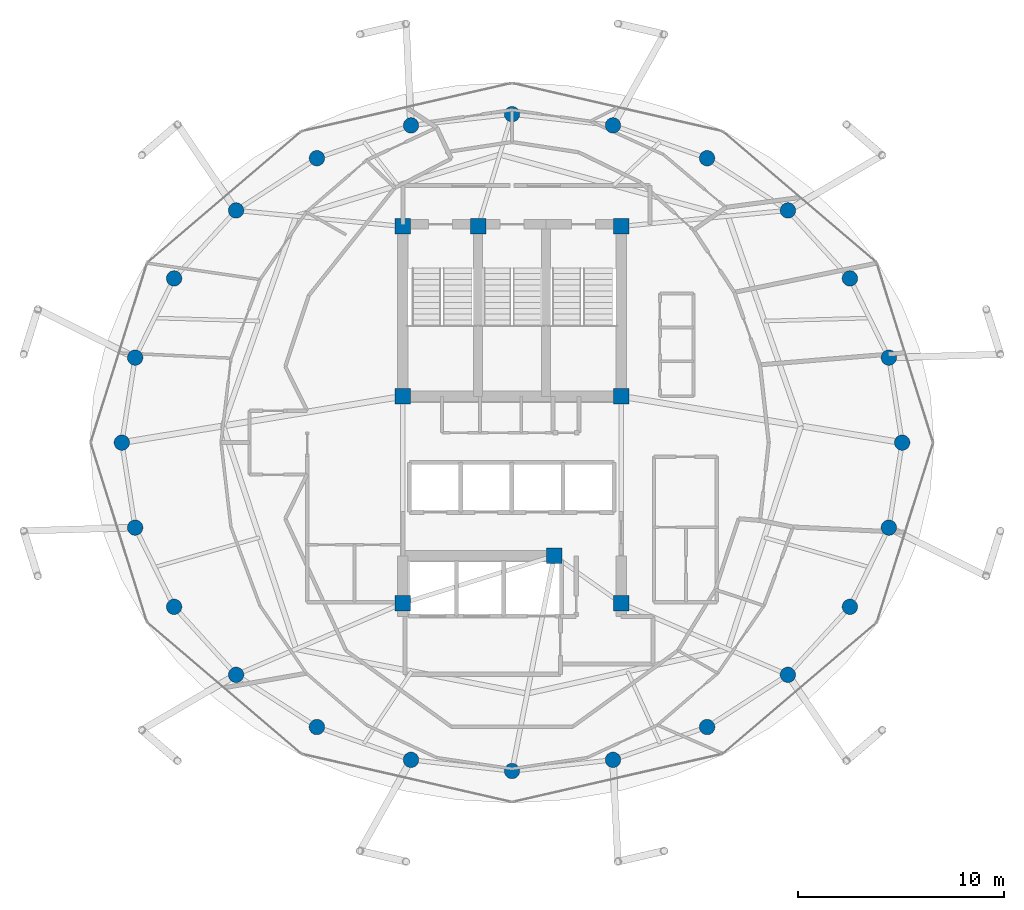
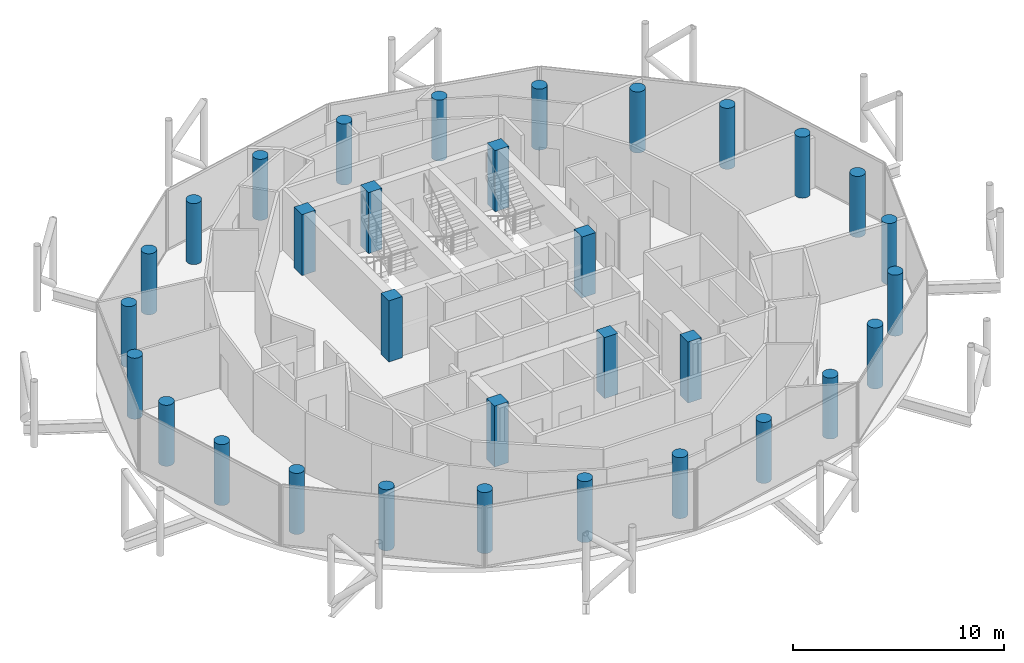
# One storey, part 1 of 24: 32 columns.
"""IFC4 building model written with IfcOpenShell, lengths in metres."""

from ifc_helpers import new_model, si_unit, direction, frame, origin, origin_2d, place, context, subcontext, project, spatial, rectangle, circle, extrude, material, material_profile, profile_set, type_object, element, save


model = new_model("IFC4")

# Units and contexts
model_context = context("Model", 3, precision=1e-05, world=origin(), true_north=direction((0.0, 1.0)))
body_context = subcontext(model_context, "Body", "Model", "MODEL_VIEW")
ifc_project = project(units=[si_unit("LENGTHUNIT", "METRE"), si_unit("AREAUNIT", "SQUARE_METRE"), si_unit("VOLUMEUNIT", "CUBIC_METRE"), si_unit("PLANEANGLEUNIT", "RADIAN"), si_unit("MASSUNIT", "GRAM", prefix="KILO")], contexts=[model_context])

# Site, building, storey
site_placement = place(None, origin())
site = spatial("IfcSite", under=ifc_project, at=site_placement, CompositionType="ELEMENT")
building_placement = place(site_placement, origin())
building = spatial("IfcBuilding", under=site, at=building_placement, Name="Nuhasar Tower", CompositionType="ELEMENT")
storey_placement = place(building_placement, frame((0.0, 0.0, 259.39990234375)))
storey = spatial("IfcBuildingStorey", under=building, at=storey_placement, Name="L64", CompositionType="ELEMENT", Elevation=259.39990234375)

# Columns
ifc_material = material(Name="Concrete C50/60", Category="concrete")
ifc_material_profile_1 = material_profile(ifc_material, circle(Radius=0.375, at=origin_2d()), Name="CFT750")
ifc_profile_set_1 = profile_set([ifc_material_profile_1], Name="Concrete C50/60")
column_type_1 = type_object("IfcColumnType", Name="COL-CFT-750", PredefinedType="COLUMN", material=ifc_profile_set_1)
for number, where, z_axis, x_axis, name in (
    (1, (57.949951171875, 26.800048828125, 0.0), (0.0, 0.0, 1.0), (1.0, 0.0, 0.0), "L64 Perimeter Composite Column TC-01"),
    (2, (57.303955078125, 30.927978515625, 0.0), (0.0, 0.0, 1.0), (1.0, 0.0, 0.0), "L64 Perimeter Composite Column TC-02"),
    (3, (55.410888671875, 34.77490234375, 0.0), (0.0, 0.0, 1.0), (1.0, 0.0, 0.0), "L64 Perimeter Composite Column TC-03"),
    (4, (52.39990234375, 38.077880859375, 0.0), (0.0, 0.0, 1.0), (1.0, 0.0, 0.0), "L64 Perimeter Composite Column TC-04"),
    (5, (48.47509765625, 40.613037109375, 0.0), (0.0, 0.0, 1.0), (1.0, 0.0, 0.0), "L64 Perimeter Composite Column TC-05"),
    (6, (43.905029296875, 42.20703125, 0.0), (0.0, 0.0, 1.0), (1.0, 0.0, 0.0), "L64 Perimeter Composite Column TC-06"),
    (7, (39.0, 42.75, 0.0), (0.0, 0.0, 1.0), (1.0, 0.0, 0.0), "L64 Perimeter Composite Column TC-07"),
    (8, (34.094970703125, 42.20703125, 0.0), (0.0, 0.0, 1.0), (1.0, 0.0, 0.0), "L64 Perimeter Composite Column TC-08"),
    (9, (29.52490234375, 40.613037109375, 0.0), (0.0, 0.0, 1.0), (1.0, 0.0, 0.0), "L64 Perimeter Composite Column TC-09"),
    (10, (25.60009765625, 38.077880859375, 0.0), (0.0, 0.0, 1.0), (1.0, 0.0, 0.0), "L64 Perimeter Composite Column TC-10"),
    (11, (22.589111328125, 34.77490234375, 0.0), (0.0, 0.0, 1.0), (1.0, 0.0, 0.0), "L64 Perimeter Composite Column TC-11"),
    (12, (20.696044921875, 30.927978515625, 0.0), (0.0, 0.0, 1.0), (1.0, 0.0, 0.0), "L64 Perimeter Composite Column TC-12"),
    (13, (20.050048828125, 26.800048828125, 0.0), (0.0, 0.0, 1.0), (1.0, 0.0, 0.0), "L64 Perimeter Composite Column TC-13"),
    (14, (20.696044921875, 22.672119140625, 0.0), (0.0, 0.0, 1.0), (1.0, 0.0, 0.0), "L64 Perimeter Composite Column TC-14"),
    (15, (22.589111328125, 18.824951171875, 0.0), (0.0, 0.0, 1.0), (1.0, 0.0, 0.0), "L64 Perimeter Composite Column TC-15"),
    (16, (25.60009765625, 15.52197265625, 0.0), (0.0, 0.0, 1.0), (1.0, 0.0, 0.0), "L64 Perimeter Composite Column TC-16"),
    (17, (29.52490234375, 12.987060546875, 0.0), (0.0, 0.0, 1.0), (1.0, 0.0, 0.0), "L64 Perimeter Composite Column TC-17"),
    (18, (34.094970703125, 11.39306640625, 0.0), (0.0, 0.0, 1.0), (1.0, 0.0, 0.0), "L64 Perimeter Composite Column TC-18"),
    (19, (39.0, 10.85009765625, 0.0), (0.0, 0.0, 1.0), (1.0, 0.0, 0.0), "L64 Perimeter Composite Column TC-19"),
    (20, (43.905029296875, 11.39306640625, 0.0), (0.0, 0.0, 1.0), (1.0, 0.0, 0.0), "L64 Perimeter Composite Column TC-20"),
    (21, (48.47509765625, 12.987060546875, 0.0), (0.0, 0.0, 1.0), (1.0, 0.0, 0.0), "L64 Perimeter Composite Column TC-21"),
    (22, (52.39990234375, 15.52197265625, 0.0), (0.0, 0.0, 1.0), (1.0, 0.0, 0.0), "L64 Perimeter Composite Column TC-22"),
    (23, (55.410888671875, 18.824951171875, 0.0), (0.0, 0.0, 1.0), (1.0, 0.0, 0.0), "L64 Perimeter Composite Column TC-23"),
    (24, (57.303955078125, 22.672119140625, 0.0), (0.0, 0.0, 1.0), (1.0, 0.0, 0.0), "L64 Perimeter Composite Column TC-24"),
):
    element("IfcColumn", number, at=place(storey_placement, frame(where, z_axis=z_axis, x_axis=x_axis)), inside=storey, type_object=column_type_1, Name=name, PredefinedType="COLUMN", context=body_context, shape_type="SweptSolid", body=[
        extrude(circle(Radius=0.375, at=origin_2d()), origin(), (0.0, 0.0, 1.0), 3.5400390625),
    ])
ifc_material_profile_2 = material_profile(ifc_material, rectangle(XDim=0.75, YDim=0.75, at=origin_2d()), Name="RC750X750")
ifc_profile_set_2 = profile_set([ifc_material_profile_2], Name="Concrete C50/60")
column_type_2 = type_object("IfcColumnType", Name="PIL-RC-750", PredefinedType="PILASTER", material=ifc_profile_set_2)
for number, where, z_axis, x_axis, name in (
    (25, (33.699951171875, 19.0, 0.0), (0.0, 0.0, 1.0), (1.0, 0.0, 0.0), "L64 Core Boundary Pilaster CC-01"),
    (26, (41.050048828125, 21.300048828125, 0.0), (0.0, 0.0, 1.0), (1.0, 0.0, 0.0), "L64 Core Boundary Pilaster CC-02"),
    (27, (44.300048828125, 19.0, 0.0), (0.0, 0.0, 1.0), (1.0, 0.0, 0.0), "L64 Core Boundary Pilaster CC-03"),
    (28, (44.300048828125, 29.050048828125, 0.0), (0.0, 0.0, 1.0), (1.0, 0.0, 0.0), "L64 Core Boundary Pilaster CC-04"),
    (29, (44.300048828125, 37.300048828125, 0.0), (0.0, 0.0, 1.0), (1.0, 0.0, 0.0), "L64 Core Boundary Pilaster CC-05"),
    (30, (37.35009765625, 37.300048828125, 0.0), (0.0, 0.0, 1.0), (1.0, 0.0, 0.0), "L64 Core Boundary Pilaster CC-06"),
    (31, (33.699951171875, 37.300048828125, 0.0), (0.0, 0.0, 1.0), (1.0, 0.0, 0.0), "L64 Core Boundary Pilaster CC-07"),
    (32, (33.699951171875, 29.050048828125, 0.0), (0.0, 0.0, 1.0), (1.0, 0.0, 0.0), "L64 Core Boundary Pilaster CC-08"),
):
    element("IfcColumn", number, at=place(storey_placement, frame(where, z_axis=z_axis, x_axis=x_axis)), inside=storey, type_object=column_type_2, Name=name, PredefinedType="PILASTER", context=body_context, shape_type="SweptSolid", body=[
        extrude(rectangle(XDim=0.75, YDim=0.75, at=origin_2d()), origin(), (0.0, 0.0, 1.0), 3.5400390625),
    ])

save(model, "model.ifc")
